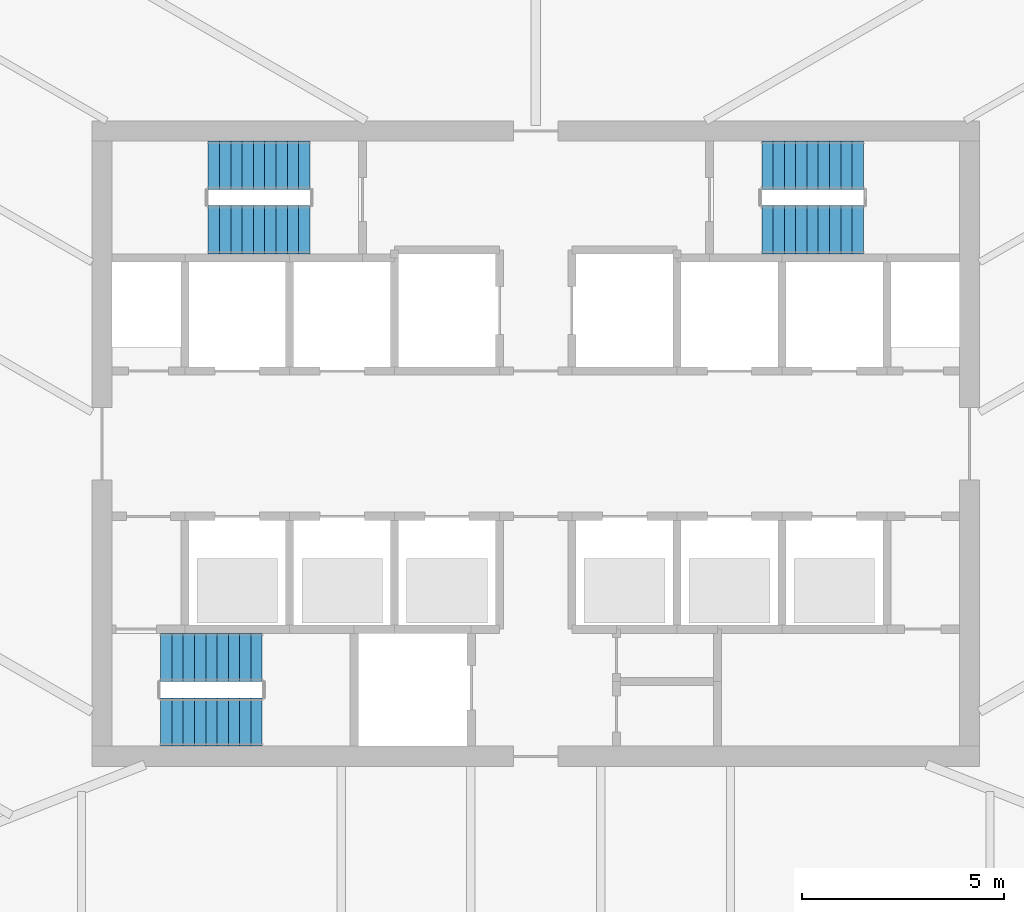
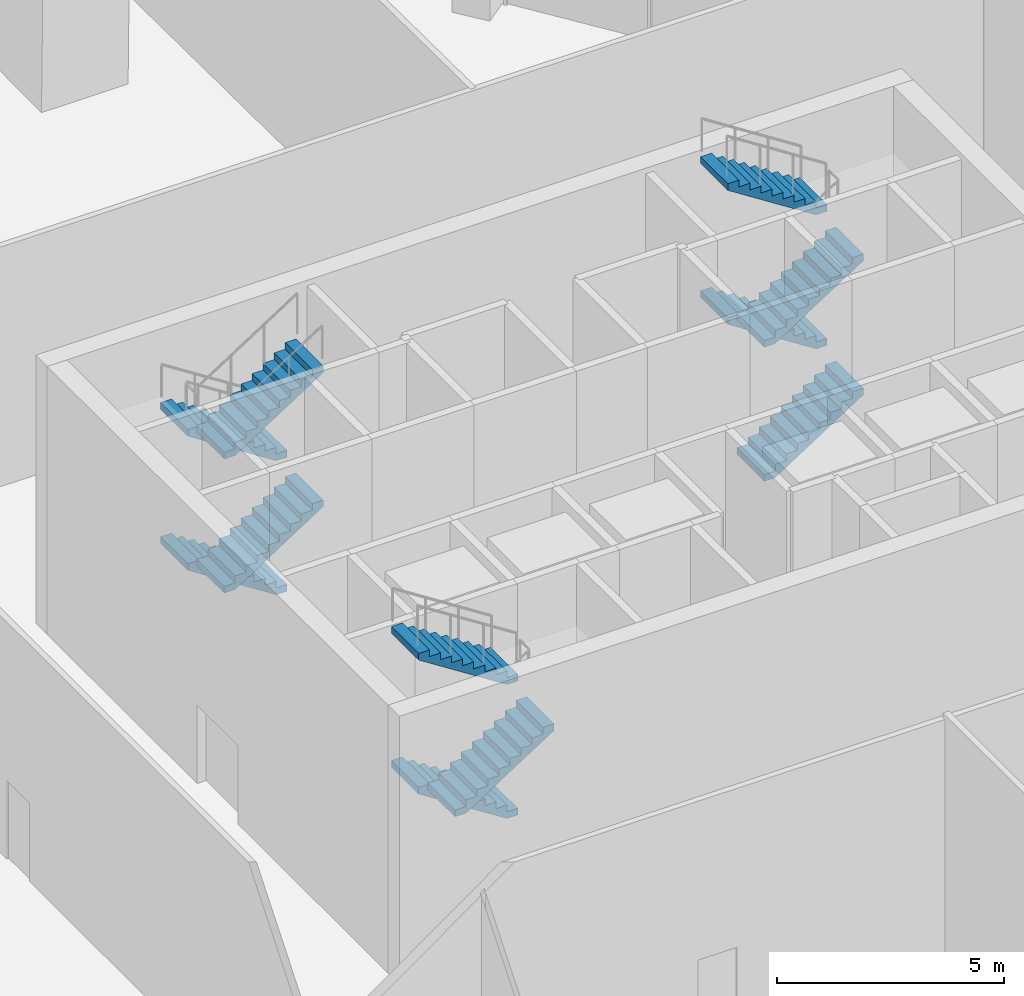
# One storey, part 12 of 15: 11 stair flights, 3 elements without a shape of their own.
"""IFC4 building model written with IfcOpenShell, lengths in metres."""

from ifc_helpers import new_model, si_unit, direction, frame, origin, place, context, subcontext, project, spatial, polyline, outline, extrude, material, type_object, element, aggregate, save


model = new_model("IFC4")

# Units and contexts
model_context = context("Model", 3, precision=1e-05, world=origin(), true_north=direction((0.0, 1.0)))
body_context = subcontext(model_context, "Body", "Model", "MODEL_VIEW")
ifc_project = project(units=[si_unit("LENGTHUNIT", "METRE"), si_unit("AREAUNIT", "SQUARE_METRE"), si_unit("VOLUMEUNIT", "CUBIC_METRE"), si_unit("PLANEANGLEUNIT", "RADIAN"), si_unit("MASSUNIT", "GRAM", prefix="KILO")], contexts=[model_context])

# Site, building, storey
site_placement = place(None, origin())
site = spatial("IfcSite", under=ifc_project, at=site_placement, CompositionType="ELEMENT")
building_placement = place(site_placement, origin())
building = spatial("IfcBuilding", under=site, at=building_placement, Name="Sierra Prisma Convention Tower", CompositionType="ELEMENT")
storey_placement = place(building_placement, frame((0.0, 0.0, 219.800048828125)))
storey = spatial("IfcBuildingStorey", under=building, at=storey_placement, Name="L49", CompositionType="ELEMENT", Elevation=219.800048828125)

# Stair, stair flights
ifc_material_1 = material(Name="Concrete C30/37", Category="concrete")
stair_type = type_object("IfcStairType", Name="Stair dog-leg 1200 RC", PredefinedType="HALF_TURN_STAIR", material=ifc_material_1)
stair_1_placement = place(storey_placement, origin())
stair_1 = element("IfcStair", 1, at=stair_1_placement, inside=storey, type_object=stair_type, Name="L49 S1", PredefinedType="HALF_TURN_STAIR")
ifc_material_2 = material(Name="Concrete C30/37", Category="concrete")
stair_flight_type = type_object("IfcStairFlightType", Name="Stair flight RC 1200", PredefinedType="STRAIGHT", material=ifc_material_2)
stair_flight_1_placement = place(storey_placement, frame((-6.780029296875, -5.300048828125, 1.800048828125), z_axis=(0.0, 0.0, 1.0), x_axis=(-1.0, 0.0, 0.0)))
stair_flight_1 = element("IfcStairFlight", 2, at=stair_flight_1_placement, type_object=stair_flight_type, Name="S1 flight 2", NumberOfRisers=10, NumberOfTreads=9, PredefinedType="STRAIGHT", RiserHeight=0.18, TreadLength=0.28, context=body_context, shape_type="SweptSolid", body=[
    extrude(outline(polyline([(0.0, 0.0), (0.0, 0.179931640625), (0.280029296875, 0.179931640625), (0.280029296875, 0.360107421875), (0.56005859375, 0.360107421875), (0.56005859375, 0.5400390625), (0.840087890625, 0.5400390625), (0.840087890625, 0.719970703125), (1.1201171875, 0.719970703125), (1.1201171875, 0.89990234375), (1.39990234375, 0.89990234375), (1.39990234375, 1.080078125), (1.679931640625, 1.080078125), (1.679931640625, 1.260009765625), (1.9599609375, 1.260009765625), (1.9599609375, 1.43994140625), (2.239990234375, 1.43994140625), (2.239990234375, 1.6201171875), (2.52001953125, 1.6201171875), (2.52001953125, 1.800048828125), (2.52001953125, 1.44189453125), (0.277099609375, 0.0), (0.0, 0.0)])), frame((0.0, 0.60009765625, 0.0), z_axis=(0.0, -1.0, 0.0), x_axis=(1.0, 0.0, 0.0)), (0.0, 0.0, 1.0), 1.199951171875),
])
stair_flight_2_placement = place(storey_placement, frame((-9.300048828125, -6.89990234375, 3.599853515625), z_axis=(0.0, 0.0, 1.0), x_axis=(1.0, 0.0, 0.0)))
stair_flight_2 = element("IfcStairFlight", 3, at=stair_flight_2_placement, type_object=stair_flight_type, Name="S1 flight 3", NumberOfRisers=10, NumberOfTreads=9, PredefinedType="STRAIGHT", RiserHeight=0.18, TreadLength=0.28, context=body_context, shape_type="SweptSolid", body=[
    extrude(outline(polyline([(0.0, 0.0), (0.0, 0.179931640625), (0.280029296875, 0.179931640625), (0.280029296875, 0.360107421875), (0.56005859375, 0.360107421875), (0.56005859375, 0.5400390625), (0.840087890625, 0.5400390625), (0.840087890625, 0.719970703125), (1.1201171875, 0.719970703125), (1.1201171875, 0.89990234375), (1.39990234375, 0.89990234375), (1.39990234375, 1.080078125), (1.679931640625, 1.080078125), (1.679931640625, 1.260009765625), (1.9599609375, 1.260009765625), (1.9599609375, 1.43994140625), (2.239990234375, 1.43994140625), (2.239990234375, 1.6201171875), (2.52001953125, 1.6201171875), (2.52001953125, 1.800048828125), (2.52001953125, 1.44189453125), (0.277099609375, 0.0), (0.0, 0.0)])), frame((0.0, 0.60009765625, 0.0), z_axis=(0.0, -1.0, 0.0), x_axis=(1.0, 0.0, 0.0)), (0.0, 0.0, 1.0), 1.199951171875),
])
stair_flight_3_placement = place(storey_placement, frame((-6.780029296875, -5.300048828125, 5.39990234375), z_axis=(0.0, 0.0, 1.0), x_axis=(-1.0, 0.0, 0.0)))
stair_flight_3 = element("IfcStairFlight", 4, at=stair_flight_3_placement, type_object=stair_flight_type, Name="S1 flight 4", NumberOfRisers=10, NumberOfTreads=9, PredefinedType="STRAIGHT", RiserHeight=0.18, TreadLength=0.28, context=body_context, shape_type="SweptSolid", body=[
    extrude(outline(polyline([(0.0, 0.0), (0.0, 0.179931640625), (0.280029296875, 0.179931640625), (0.280029296875, 0.360107421875), (0.56005859375, 0.360107421875), (0.56005859375, 0.5400390625), (0.840087890625, 0.5400390625), (0.840087890625, 0.719970703125), (1.1201171875, 0.719970703125), (1.1201171875, 0.89990234375), (1.39990234375, 0.89990234375), (1.39990234375, 1.080078125), (1.679931640625, 1.080078125), (1.679931640625, 1.260009765625), (1.9599609375, 1.260009765625), (1.9599609375, 1.43994140625), (2.239990234375, 1.43994140625), (2.239990234375, 1.6201171875), (2.52001953125, 1.6201171875), (2.52001953125, 1.800048828125), (2.52001953125, 1.44189453125), (0.277099609375, 0.0), (0.0, 0.0)])), frame((0.0, 0.60009765625, 0.0), z_axis=(0.0, -1.0, 0.0), x_axis=(1.0, 0.0, 0.0)), (0.0, 0.0, 1.0), 1.199951171875),
])
aggregate(stair_1, [stair_flight_1, stair_flight_2, stair_flight_3])

stair_2_placement = place(storey_placement, origin())
stair_2 = element("IfcStair", 5, at=stair_2_placement, inside=storey, type_object=stair_type, Name="L49 S3", PredefinedType="HALF_TURN_STAIR")
stair_flight_4_placement = place(storey_placement, frame((-5.60009765625, 6.89990234375, 0.0), z_axis=(0.0, 0.0, 1.0), x_axis=(-1.0, 0.0, 0.0)))
stair_flight_4 = element("IfcStairFlight", 6, at=stair_flight_4_placement, type_object=stair_flight_type, Name="S3 flight 1", NumberOfRisers=10, NumberOfTreads=9, PredefinedType="STRAIGHT", RiserHeight=0.18, TreadLength=0.28, context=body_context, shape_type="SweptSolid", body=[
    extrude(outline(polyline([(0.0, 0.0), (0.0, 0.179931640625), (0.280029296875, 0.179931640625), (0.280029296875, 0.360107421875), (0.56005859375, 0.360107421875), (0.56005859375, 0.5400390625), (0.840087890625, 0.5400390625), (0.840087890625, 0.719970703125), (1.1201171875, 0.719970703125), (1.1201171875, 0.89990234375), (1.39990234375, 0.89990234375), (1.39990234375, 1.080078125), (1.679931640625, 1.080078125), (1.679931640625, 1.260009765625), (1.9599609375, 1.260009765625), (1.9599609375, 1.43994140625), (2.239990234375, 1.43994140625), (2.239990234375, 1.6201171875), (2.52001953125, 1.6201171875), (2.52001953125, 1.800048828125), (2.52001953125, 1.44189453125), (0.277099609375, 0.0), (0.0, 0.0)])), frame((0.0, 0.60009765625, 0.0), z_axis=(0.0, -1.0, 0.0), x_axis=(1.0, 0.0, 0.0)), (0.0, 0.0, 1.0), 1.199951171875),
])
stair_flight_5_placement = place(storey_placement, frame((-8.1201171875, 5.300048828125, 1.800048828125), z_axis=(0.0, 0.0, 1.0), x_axis=(1.0, 0.0, 0.0)))
stair_flight_5 = element("IfcStairFlight", 7, at=stair_flight_5_placement, type_object=stair_flight_type, Name="S3 flight 2", NumberOfRisers=10, NumberOfTreads=9, PredefinedType="STRAIGHT", RiserHeight=0.18, TreadLength=0.28, context=body_context, shape_type="SweptSolid", body=[
    extrude(outline(polyline([(0.0, 0.0), (0.0, 0.179931640625), (0.280029296875, 0.179931640625), (0.280029296875, 0.360107421875), (0.56005859375, 0.360107421875), (0.56005859375, 0.5400390625), (0.840087890625, 0.5400390625), (0.840087890625, 0.719970703125), (1.1201171875, 0.719970703125), (1.1201171875, 0.89990234375), (1.39990234375, 0.89990234375), (1.39990234375, 1.080078125), (1.679931640625, 1.080078125), (1.679931640625, 1.260009765625), (1.9599609375, 1.260009765625), (1.9599609375, 1.43994140625), (2.239990234375, 1.43994140625), (2.239990234375, 1.6201171875), (2.52001953125, 1.6201171875), (2.52001953125, 1.800048828125), (2.52001953125, 1.44189453125), (0.277099609375, 0.0), (0.0, 0.0)])), frame((0.0, 0.60009765625, 0.0), z_axis=(0.0, -1.0, 0.0), x_axis=(1.0, 0.0, 0.0)), (0.0, 0.0, 1.0), 1.199951171875),
])
stair_flight_6_placement = place(storey_placement, frame((-5.60009765625, 6.89990234375, 3.599853515625), z_axis=(0.0, 0.0, 1.0), x_axis=(-1.0, 0.0, 0.0)))
stair_flight_6 = element("IfcStairFlight", 8, at=stair_flight_6_placement, type_object=stair_flight_type, Name="S3 flight 3", NumberOfRisers=10, NumberOfTreads=9, PredefinedType="STRAIGHT", RiserHeight=0.18, TreadLength=0.28, context=body_context, shape_type="SweptSolid", body=[
    extrude(outline(polyline([(0.0, 0.0), (0.0, 0.179931640625), (0.280029296875, 0.179931640625), (0.280029296875, 0.360107421875), (0.56005859375, 0.360107421875), (0.56005859375, 0.5400390625), (0.840087890625, 0.5400390625), (0.840087890625, 0.719970703125), (1.1201171875, 0.719970703125), (1.1201171875, 0.89990234375), (1.39990234375, 0.89990234375), (1.39990234375, 1.080078125), (1.679931640625, 1.080078125), (1.679931640625, 1.260009765625), (1.9599609375, 1.260009765625), (1.9599609375, 1.43994140625), (2.239990234375, 1.43994140625), (2.239990234375, 1.6201171875), (2.52001953125, 1.6201171875), (2.52001953125, 1.800048828125), (2.52001953125, 1.44189453125), (0.277099609375, 0.0), (0.0, 0.0)])), frame((0.0, 0.60009765625, 0.0), z_axis=(0.0, -1.0, 0.0), x_axis=(1.0, 0.0, 0.0)), (0.0, 0.0, 1.0), 1.199951171875),
])
stair_flight_7_placement = place(storey_placement, frame((-8.1201171875, 5.300048828125, 5.39990234375), z_axis=(0.0, 0.0, 1.0), x_axis=(1.0, 0.0, 0.0)))
stair_flight_7 = element("IfcStairFlight", 9, at=stair_flight_7_placement, type_object=stair_flight_type, Name="S3 flight 4", NumberOfRisers=10, NumberOfTreads=9, PredefinedType="STRAIGHT", RiserHeight=0.18, TreadLength=0.28, context=body_context, shape_type="SweptSolid", body=[
    extrude(outline(polyline([(0.0, 0.0), (0.0, 0.179931640625), (0.280029296875, 0.179931640625), (0.280029296875, 0.360107421875), (0.56005859375, 0.360107421875), (0.56005859375, 0.5400390625), (0.840087890625, 0.5400390625), (0.840087890625, 0.719970703125), (1.1201171875, 0.719970703125), (1.1201171875, 0.89990234375), (1.39990234375, 0.89990234375), (1.39990234375, 1.080078125), (1.679931640625, 1.080078125), (1.679931640625, 1.260009765625), (1.9599609375, 1.260009765625), (1.9599609375, 1.43994140625), (2.239990234375, 1.43994140625), (2.239990234375, 1.6201171875), (2.52001953125, 1.6201171875), (2.52001953125, 1.800048828125), (2.52001953125, 1.44189453125), (0.277099609375, 0.0), (0.0, 0.0)])), frame((0.0, 0.60009765625, 0.0), z_axis=(0.0, -1.0, 0.0), x_axis=(1.0, 0.0, 0.0)), (0.0, 0.0, 1.0), 1.199951171875),
])
aggregate(stair_2, [stair_flight_4, stair_flight_5, stair_flight_6, stair_flight_7])

stair_3_placement = place(storey_placement, origin())
stair_3 = element("IfcStair", 10, at=stair_3_placement, inside=storey, type_object=stair_type, Name="L49 S4", PredefinedType="HALF_TURN_STAIR")
stair_flight_8_placement = place(storey_placement, frame((5.60009765625, 5.300048828125, 0.0), z_axis=(0.0, 0.0, 1.0), x_axis=(1.0, 0.0, 0.0)))
stair_flight_8 = element("IfcStairFlight", 11, at=stair_flight_8_placement, type_object=stair_flight_type, Name="S4 flight 1", NumberOfRisers=10, NumberOfTreads=9, PredefinedType="STRAIGHT", RiserHeight=0.18, TreadLength=0.28, context=body_context, shape_type="SweptSolid", body=[
    extrude(outline(polyline([(0.0, 0.0), (0.0, 0.179931640625), (0.280029296875, 0.179931640625), (0.280029296875, 0.360107421875), (0.56005859375, 0.360107421875), (0.56005859375, 0.5400390625), (0.840087890625, 0.5400390625), (0.840087890625, 0.719970703125), (1.1201171875, 0.719970703125), (1.1201171875, 0.89990234375), (1.39990234375, 0.89990234375), (1.39990234375, 1.080078125), (1.679931640625, 1.080078125), (1.679931640625, 1.260009765625), (1.9599609375, 1.260009765625), (1.9599609375, 1.43994140625), (2.239990234375, 1.43994140625), (2.239990234375, 1.6201171875), (2.52001953125, 1.6201171875), (2.52001953125, 1.800048828125), (2.52001953125, 1.44189453125), (0.277099609375, 0.0), (0.0, 0.0)])), frame((0.0, 0.60009765625, 0.0), z_axis=(0.0, -1.0, 0.0), x_axis=(1.0, 0.0, 0.0)), (0.0, 0.0, 1.0), 1.199951171875),
])
stair_flight_9_placement = place(storey_placement, frame((8.1201171875, 6.89990234375, 1.800048828125), z_axis=(0.0, 0.0, 1.0), x_axis=(-1.0, 0.0, 0.0)))
stair_flight_9 = element("IfcStairFlight", 12, at=stair_flight_9_placement, type_object=stair_flight_type, Name="S4 flight 2", NumberOfRisers=10, NumberOfTreads=9, PredefinedType="STRAIGHT", RiserHeight=0.18, TreadLength=0.28, context=body_context, shape_type="SweptSolid", body=[
    extrude(outline(polyline([(0.0, 0.0), (0.0, 0.179931640625), (0.280029296875, 0.179931640625), (0.280029296875, 0.360107421875), (0.56005859375, 0.360107421875), (0.56005859375, 0.5400390625), (0.840087890625, 0.5400390625), (0.840087890625, 0.719970703125), (1.1201171875, 0.719970703125), (1.1201171875, 0.89990234375), (1.39990234375, 0.89990234375), (1.39990234375, 1.080078125), (1.679931640625, 1.080078125), (1.679931640625, 1.260009765625), (1.9599609375, 1.260009765625), (1.9599609375, 1.43994140625), (2.239990234375, 1.43994140625), (2.239990234375, 1.6201171875), (2.52001953125, 1.6201171875), (2.52001953125, 1.800048828125), (2.52001953125, 1.44189453125), (0.277099609375, 0.0), (0.0, 0.0)])), frame((0.0, 0.60009765625, 0.0), z_axis=(0.0, -1.0, 0.0), x_axis=(1.0, 0.0, 0.0)), (0.0, 0.0, 1.0), 1.199951171875),
])
stair_flight_10_placement = place(storey_placement, frame((5.60009765625, 5.300048828125, 3.599853515625), z_axis=(0.0, 0.0, 1.0), x_axis=(1.0, 0.0, 0.0)))
stair_flight_10 = element("IfcStairFlight", 13, at=stair_flight_10_placement, type_object=stair_flight_type, Name="S4 flight 3", NumberOfRisers=10, NumberOfTreads=9, PredefinedType="STRAIGHT", RiserHeight=0.18, TreadLength=0.28, context=body_context, shape_type="SweptSolid", body=[
    extrude(outline(polyline([(0.0, 0.0), (0.0, 0.179931640625), (0.280029296875, 0.179931640625), (0.280029296875, 0.360107421875), (0.56005859375, 0.360107421875), (0.56005859375, 0.5400390625), (0.840087890625, 0.5400390625), (0.840087890625, 0.719970703125), (1.1201171875, 0.719970703125), (1.1201171875, 0.89990234375), (1.39990234375, 0.89990234375), (1.39990234375, 1.080078125), (1.679931640625, 1.080078125), (1.679931640625, 1.260009765625), (1.9599609375, 1.260009765625), (1.9599609375, 1.43994140625), (2.239990234375, 1.43994140625), (2.239990234375, 1.6201171875), (2.52001953125, 1.6201171875), (2.52001953125, 1.800048828125), (2.52001953125, 1.44189453125), (0.277099609375, 0.0), (0.0, 0.0)])), frame((0.0, 0.60009765625, 0.0), z_axis=(0.0, -1.0, 0.0), x_axis=(1.0, 0.0, 0.0)), (0.0, 0.0, 1.0), 1.199951171875),
])
stair_flight_11_placement = place(storey_placement, frame((8.1201171875, 6.89990234375, 5.39990234375), z_axis=(0.0, 0.0, 1.0), x_axis=(-1.0, 0.0, 0.0)))
stair_flight_11 = element("IfcStairFlight", 14, at=stair_flight_11_placement, type_object=stair_flight_type, Name="S4 flight 4", NumberOfRisers=10, NumberOfTreads=9, PredefinedType="STRAIGHT", RiserHeight=0.18, TreadLength=0.28, context=body_context, shape_type="SweptSolid", body=[
    extrude(outline(polyline([(0.0, 0.0), (0.0, 0.179931640625), (0.280029296875, 0.179931640625), (0.280029296875, 0.360107421875), (0.56005859375, 0.360107421875), (0.56005859375, 0.5400390625), (0.840087890625, 0.5400390625), (0.840087890625, 0.719970703125), (1.1201171875, 0.719970703125), (1.1201171875, 0.89990234375), (1.39990234375, 0.89990234375), (1.39990234375, 1.080078125), (1.679931640625, 1.080078125), (1.679931640625, 1.260009765625), (1.9599609375, 1.260009765625), (1.9599609375, 1.43994140625), (2.239990234375, 1.43994140625), (2.239990234375, 1.6201171875), (2.52001953125, 1.6201171875), (2.52001953125, 1.800048828125), (2.52001953125, 1.44189453125), (0.277099609375, 0.0), (0.0, 0.0)])), frame((0.0, 0.60009765625, 0.0), z_axis=(0.0, -1.0, 0.0), x_axis=(1.0, 0.0, 0.0)), (0.0, 0.0, 1.0), 1.199951171875),
])
aggregate(stair_3, [stair_flight_8, stair_flight_9, stair_flight_10, stair_flight_11])

save(model, "model.ifc")
